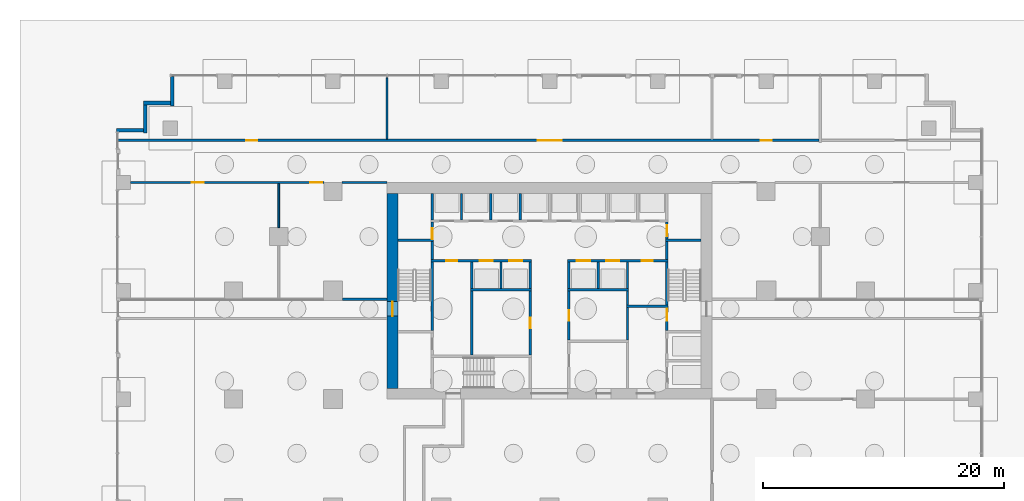
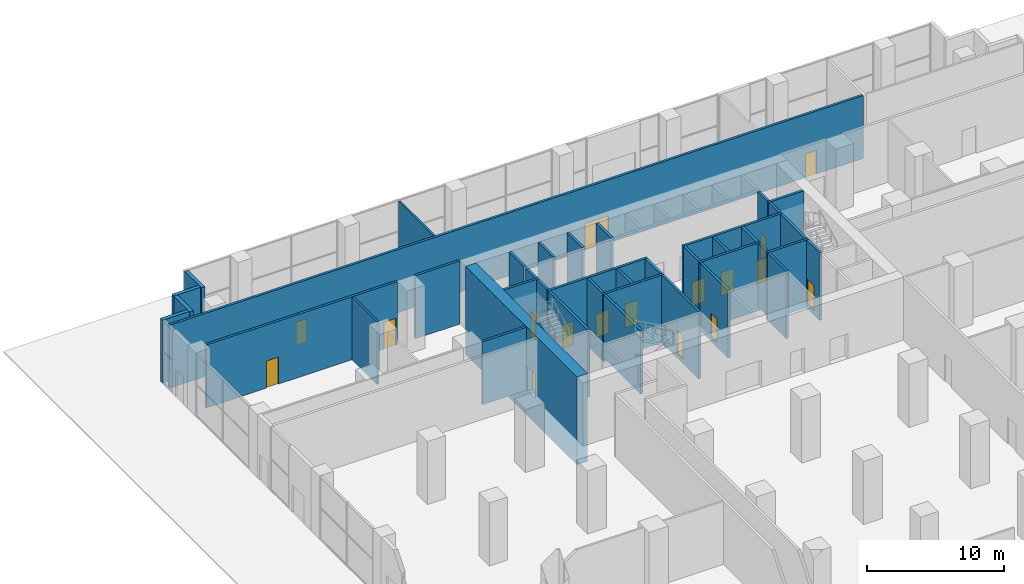
# One storey, part 16 of 20: 40 walls, 17 doors, 17 openings.
"""IFC4 building model written with IfcOpenShell, lengths in metres."""

import ifcopenshell
import ifcopenshell.guid

model = None  # the IFC model being written
_history = None  # IfcOwnerHistory: only IFC2X3 demands one
_inside = {}  # id of a spatial element -> (the spatial element, [elements in it])
_under = {}  # id of a project, library or spatial element -> (it, [spatial elements below it])
_declared = {}  # id of a project -> (the project, [libraries it declares])
_typed = {}  # id of a type object -> (the type object, [elements of that type])
_made_of = {}  # id of a material, layer set ... -> (it, [elements and type objects made of it])


def new_model(schema):
    """Start an empty IFC model of exactly this schema.

    Asked for "IFC4X3", IfcOpenShell would pick the latest addendum, in which some entities
    have other attributes; the version numbers below select the first issue.
    IFC2X3 requires an IfcOwnerHistory on every rooted entity: one is made here for all.
    """
    global model, _history
    if schema == "IFC4X3":
        model = ifcopenshell.file(schema_version=(4, 3, 0, 0))
    else:
        model = ifcopenshell.file(schema=schema)
    _inside.clear()
    _under.clear()
    _declared.clear()
    _typed.clear()
    _made_of.clear()
    _history = None
    if model.schema == "IFC2X3":
        org = make("IfcOrganization", Name="unknown")
        user = make(
            "IfcPersonAndOrganization",
            ThePerson=make("IfcPerson", FamilyName="unknown"),
            TheOrganization=org,
        )
        app = make(
            "IfcApplication",
            ApplicationDeveloper=org,
            Version="unknown",
            ApplicationFullName="unknown",
            ApplicationIdentifier="unknown",
        )
        _history = make(
            "IfcOwnerHistory",
            OwningUser=user,
            OwningApplication=app,
            ChangeAction="ADDED",
            CreationDate=0,
        )
    return model


def make(cls, **values):
    """One entity of the class cls with the attributes given. An attribute that is None is left unset."""
    return model.create_entity(
        cls, **{name: value for name, value in values.items() if value is not None}
    )


def rooted(cls, **values):
    """An entity with a GlobalId (a new one), such as an element, a storey or a relation."""
    return make(cls, GlobalId=ifcopenshell.guid.new(), OwnerHistory=_history, **values)


def si_unit(unit_type, name, prefix=None):
    """IfcSIUnit, for example si_unit("LENGTHUNIT", "METRE", prefix="MILLI")."""
    return make("IfcSIUnit", UnitType=unit_type, Prefix=prefix, Name=name)


def assignment(units):
    """IfcUnitAssignment: the units of a project."""
    return None if units is None else make("IfcUnitAssignment", Units=units)


def point(xyz):
    """IfcCartesianPoint."""
    return None if xyz is None else make("IfcCartesianPoint", Coordinates=xyz)


def direction(xyz):
    """IfcDirection."""
    return None if xyz is None else make("IfcDirection", DirectionRatios=xyz)


def frame(location, z_axis=None, x_axis=None):
    """IfcAxis2Placement3D, a coordinate frame: its origin and axes. An axis left out is left unset."""
    return make(
        "IfcAxis2Placement3D",
        Location=point(location),
        Axis=direction(z_axis),
        RefDirection=direction(x_axis),
    )


def frame_2d(location, x_axis=None):
    """IfcAxis2Placement2D, a coordinate frame in the plane: its origin and x axis."""
    return make(
        "IfcAxis2Placement2D", Location=point(location), RefDirection=direction(x_axis)
    )


def origin():
    """The frame at (0, 0, 0) with its axes left unset."""
    return frame((0.0, 0.0, 0.0))


def place(relative_to, where):
    """IfcLocalPlacement: puts the frame where relative to a parent placement (None: the world)."""
    return make(
        "IfcLocalPlacement", PlacementRelTo=relative_to, RelativePlacement=where
    )


def context(
    kind, dimensions, precision=None, world=None, true_north=None, identifier=None
):
    """IfcGeometricRepresentationContext, for example the 3D "Model" context."""
    return make(
        "IfcGeometricRepresentationContext",
        ContextIdentifier=identifier,
        ContextType=kind,
        CoordinateSpaceDimension=dimensions,
        Precision=precision,
        WorldCoordinateSystem=world,
        TrueNorth=true_north,
    )


def subcontext(parent, identifier, kind, view, scale=None):
    """IfcGeometricRepresentationSubContext, for example "Body" below "Model"."""
    return make(
        "IfcGeometricRepresentationSubContext",
        ContextIdentifier=identifier,
        ContextType=kind,
        ParentContext=parent,
        TargetScale=scale,
        TargetView=view,
    )


def project(units=None, contexts=None):
    """IfcProject with its units and contexts."""
    return rooted(
        "IfcProject",
        Name="project",
        RepresentationContexts=contexts,
        UnitsInContext=assignment(units),
    )


def spatial(cls, under=None, at=None, **own):
    """A site, building, storey or space (cls), placed at a placement, below another one or the project."""
    s = rooted(cls, ObjectPlacement=at, **own)
    if under is not None:
        _under.setdefault(under.id(), (under, []))[1].append(s)
    return s


def profile(cls, at=None, kind="AREA", **sizes):
    """A parametric profile (cls). Its sizes go by their IFC names, for example OverallWidth=200.0."""
    return make(cls, ProfileType=kind, Position=at, **sizes)


def rectangle(**sizes):
    """IfcRectangleProfileDef."""
    return profile("IfcRectangleProfileDef", **sizes)


def extrude(swept, where, along, depth):
    """IfcExtrudedAreaSolid: the profile swept, set in the frame where, extruded along a direction by depth."""
    return make(
        "IfcExtrudedAreaSolid",
        SweptArea=swept,
        Position=where,
        ExtrudedDirection=direction(along),
        Depth=depth,
    )


def shape(context_of_items, identifier, shape_type, items):
    """IfcShapeRepresentation: the items that make up one representation, for example the "Body"."""
    return make(
        "IfcShapeRepresentation",
        ContextOfItems=context_of_items,
        RepresentationIdentifier=identifier,
        RepresentationType=shape_type,
        Items=items,
    )


def material(Name=None, Category=None):
    """IfcMaterial."""
    return make("IfcMaterial", Name=Name, Category=Category)


def layer(
    of_material, thickness, ventilated=None, Name=None, Category=None, Priority=None
):
    """IfcMaterialLayer: one layer of a wall or slab, of a material (None: an air gap)."""
    return make(
        "IfcMaterialLayer",
        Material=of_material,
        LayerThickness=thickness,
        IsVentilated=ventilated,
        Name=Name,
        Category=Category,
        Priority=Priority,
    )


def layer_set(layers, Name=None):
    """IfcMaterialLayerSet."""
    return make("IfcMaterialLayerSet", MaterialLayers=layers, LayerSetName=Name)


def made_of(thing, what):
    """Note that an element or type object is made of a material, layer set ...; save() writes the relation."""
    if what is not None:
        _made_of.setdefault(what.id(), (what, []))[1].append(thing)
    return thing


def type_object(cls, material=None, **own):
    """A type object (cls), such as IfcWallType, which elements share."""
    return made_of(rooted(cls, **own), material)


def element(
    cls,
    number,
    at=None,
    inside=None,
    cuts=None,
    type_object=None,
    material=None,
    context=None,
    identifier="Body",
    shape_type=None,
    held_by="IfcProductDefinitionShape",
    body=None,
    shapes=None,
    **own,
):
    """One element of the class cls, such as IfcWall. Its Tag is "e" and its number.

    at: its placement. inside: the storey or other place that contains it. cuts: it is an
    opening in that element (IfcRelVoidsElement). A single representation is given by context,
    identifier, shape_type and body (its items); several are given by shapes. held_by: the class
    of the entity that holds the representations. save() writes the other relations.
    """
    e = rooted(cls, Tag="e%d" % number, ObjectPlacement=at, **own)
    if body is not None:
        shapes = [shape(context, identifier, shape_type, body)]
    if shapes is not None:
        e.Representation = make(held_by, Representations=shapes)
    if inside is not None:
        _inside.setdefault(inside.id(), (inside, []))[1].append(e)
    if cuts is not None:
        rooted(
            "IfcRelVoidsElement", RelatingBuildingElement=cuts, RelatedOpeningElement=e
        )
    if type_object is not None:
        _typed.setdefault(type_object.id(), (type_object, []))[1].append(e)
    return made_of(e, material)


def fill(opening, filler):
    """IfcRelFillsElement: the door or window that sits in an opening."""
    return rooted(
        "IfcRelFillsElement",
        RelatingOpeningElement=opening,
        RelatedBuildingElement=filler,
    )


def aggregate(whole, parts):
    """IfcRelAggregates: a whole, such as a stair, and the parts it consists of."""
    return rooted("IfcRelAggregates", RelatingObject=whole, RelatedObjects=parts)


def save(model, path):
    """Write the relations noted so far, then the file.

    IfcRelAggregates (storeys below a building ...), IfcRelContainedInSpatialStructure (elements
    in a storey), IfcRelDefinesByType, IfcRelAssociatesMaterial and IfcRelDeclares: one each for
    every whole, place, type object, material and project.
    """
    for whole, parts in _under.values():
        aggregate(whole, parts)
    for where, things in _inside.values():
        rooted(
            "IfcRelContainedInSpatialStructure",
            RelatedElements=things,
            RelatingStructure=where,
        )
    for kind, things in _typed.values():
        rooted("IfcRelDefinesByType", RelatedObjects=things, RelatingType=kind)
    for what, things in _made_of.values():
        rooted("IfcRelAssociatesMaterial", RelatedObjects=things, RelatingMaterial=what)
    for by, libraries in _declared.values():
        rooted("IfcRelDeclares", RelatingContext=by, RelatedDefinitions=libraries)
    model.write(path)


model = new_model("IFC4")

# Units and contexts
model_context = context("Model", 3, precision=1e-05, world=origin(), true_north=direction((0.0, 1.0)))
body_context = subcontext(model_context, "Body", "Model", "MODEL_VIEW")
ifc_project = project(units=[si_unit("LENGTHUNIT", "METRE"), si_unit("AREAUNIT", "SQUARE_METRE"), si_unit("VOLUMEUNIT", "CUBIC_METRE"), si_unit("PLANEANGLEUNIT", "RADIAN"), si_unit("MASSUNIT", "GRAM", prefix="KILO")], contexts=[model_context])

# Site, building, storey
site_placement = place(None, origin())
site = spatial("IfcSite", under=ifc_project, at=site_placement, CompositionType="ELEMENT")
building_placement = place(site_placement, origin())
building = spatial("IfcBuilding", under=site, at=building_placement, Name="Orbiselva Terraces", CompositionType="ELEMENT")
storey_placement = place(building_placement, origin())
storey = spatial("IfcBuildingStorey", under=building, at=storey_placement, Name="L00", CompositionType="ELEMENT", Elevation=0.0)

# Wall, opening, door
ifc_material_1 = material(Name="Concrete C80/95", Category="concrete")
ifc_layer_1 = layer(ifc_material_1, 0.9)
ifc_layer_set_1 = layer_set([ifc_layer_1], Name="Concrete C80/95")
wall_type_1 = type_object("IfcWallType", Name="CORE WALL 900", PredefinedType="SHEAR", material=ifc_layer_set_1)
wall_1_placement = place(storey_placement, frame((-13.05, 21.6, -2.2), z_axis=(0.0, 0.0, 1.0), x_axis=(0.0, -1.0, 0.0)))
wall_1 = element("IfcWall", 1, at=wall_1_placement, inside=storey, type_object=wall_type_1, Name="Core wall L00 west", PredefinedType="SHEAR", context=body_context, shape_type="SweptSolid", body=[
    extrude(rectangle(XDim=16.2, YDim=0.9, at=frame_2d((8.1, 0.0))), origin(), (0.0, 0.0, 1.0), 7.8),
])
opening_1_placement = place(wall_1_placement, frame((9.0, 0.0, 2.2)))
opening_1 = element("IfcOpeningElement", 2, at=opening_1_placement, cuts=wall_1, Name="Opening DS1200", PredefinedType="OPENING", context=body_context, shape_type="SweptSolid", body=[
    extrude(rectangle(XDim=1.2, YDim=2.2, at=frame_2d((0.6, 1.1))), frame((0.0, 0.46, 0.0), z_axis=(0.0, -1.0, 0.0), x_axis=(1.0, 0.0, 0.0)), (0.0, 0.0, 1.0), 0.92),
])
ifc_material_2 = material(Name="Steel fire door", Category="steel")
door_type_1 = type_object("IfcDoorType", Name="STAIR DOOR 1200", OperationType="NOTDEFINED", PredefinedType="DOOR", material=ifc_material_2)
door_1_placement = place(opening_1_placement, frame((1.2, 0.0, 0.0), z_axis=(0.0, 0.0, 1.0), x_axis=(-1.0, 0.0, 0.0)))
door_1 = element("IfcDoor", 3, at=door_1_placement, inside=storey, type_object=door_type_1, Name="L00 EXIT STAIR S1 door", OperationType="SINGLE_SWING_RIGHT", OverallHeight=2.2, OverallWidth=1.2, PredefinedType="DOOR", context=body_context, shape_type="SweptSolid", body=[
    extrude(rectangle(XDim=1.2, YDim=2.2, at=frame_2d((0.6, 1.1))), frame((0.0, 0.025, 0.0), z_axis=(0.0, -1.0, 0.0), x_axis=(1.0, 0.0, 0.0)), (0.0, 0.0, 1.0), 0.05),
])
fill(opening_1, door_1)

ifc_material_3 = material(Name="Masonry blockwork", Category="masonry")
ifc_layer_2 = layer(ifc_material_3, 0.2)
ifc_layer_set_2 = layer_set([ifc_layer_2], Name="Masonry blockwork")
wall_type_2 = type_object("IfcWallType", Name="CORE-WALL-PARTITION-200", PredefinedType="PARTITIONING", material=ifc_layer_set_2)
wall_2_placement = place(storey_placement, frame((-9.75, 17.8, 0.0), z_axis=(0.0, 0.0, 1.0), x_axis=(0.0, 1.0, 0.0)))
wall_2 = element("IfcWall", 4, at=wall_2_placement, inside=storey, type_object=wall_type_2, Name="L00 core wall 09", PredefinedType="PARTITIONING", context=body_context, shape_type="SweptSolid", body=[
    extrude(rectangle(XDim=1.4, YDim=0.2, at=frame_2d((0.7, 0.0))), origin(), (0.0, 0.0, 1.0), 5.6),
])
opening_2_placement = place(wall_2_placement, origin())
opening_2 = element("IfcOpeningElement", 5, at=opening_2_placement, cuts=wall_2, Name="Opening DR900", PredefinedType="OPENING", context=body_context, shape_type="SweptSolid", body=[
    extrude(rectangle(XDim=0.9, YDim=2.1, at=frame_2d((0.45, 1.05))), frame((0.0, 0.11, 0.0), z_axis=(0.0, -1.0, 0.0), x_axis=(1.0, 0.0, 0.0)), (0.0, 0.0, 1.0), 0.22),
])
door_type_2 = type_object("IfcDoorType", Name="ROOM DOOR 900", OperationType="NOTDEFINED", PredefinedType="DOOR", material=ifc_material_2)
door_2_placement = place(opening_2_placement, origin())
door_2 = element("IfcDoor", 6, at=door_2_placement, inside=storey, type_object=door_type_2, Name="L00 ELECTRICAL RISER ROOM door", OperationType="SINGLE_SWING_LEFT", OverallHeight=2.1, OverallWidth=0.9, PredefinedType="DOOR", context=body_context, shape_type="SweptSolid", body=[
    extrude(rectangle(XDim=0.9, YDim=2.1, at=frame_2d((0.45, 1.05))), frame((0.0, 0.025, 0.0), z_axis=(0.0, -1.0, 0.0), x_axis=(1.0, 0.0, 0.0)), (0.0, 0.0, 1.0), 0.05),
])
fill(opening_2, door_2)

# Walls
wall_3_placement = place(storey_placement, frame((-6.475, 8.15, 0.0), z_axis=(0.0, 0.0, 1.0), x_axis=(0.0, 1.0, 0.0)))
element("IfcWall", 7, at=wall_3_placement, inside=storey, type_object=wall_type_2, Name="L00 core wall 13", PredefinedType="PARTITIONING", context=body_context, shape_type="SweptSolid", body=[
    extrude(rectangle(XDim=5.35, YDim=0.2, at=frame_2d((2.675, 0.0))), origin(), (0.0, 0.0, 1.0), 5.6),
])
wall_4_placement = place(storey_placement, frame((6.475, 12.3, 0.0), z_axis=(0.0, 0.0, 1.0), x_axis=(0.0, 1.0, 0.0)))
element("IfcWall", 8, at=wall_4_placement, inside=storey, type_object=wall_type_2, Name="L00 core wall 35", PredefinedType="PARTITIONING", context=body_context, shape_type="SweptSolid", body=[
    extrude(rectangle(XDim=1.2, YDim=0.2, at=frame_2d((0.6, 0.0))), origin(), (0.0, 0.0, 1.0), 5.6),
])

# Wall, opening, door
wall_5_placement = place(storey_placement, frame((9.75, 19.2, 0.0), z_axis=(0.0, 0.0, 1.0), x_axis=(0.0, -1.0, 0.0)))
wall_5 = element("IfcWall", 9, at=wall_5_placement, inside=storey, type_object=wall_type_2, Name="L00 core wall 46", PredefinedType="PARTITIONING", context=body_context, shape_type="SweptSolid", body=[
    extrude(rectangle(XDim=1.4, YDim=0.2, at=frame_2d((0.7, 0.0))), origin(), (0.0, 0.0, 1.0), 5.6),
])
opening_3_placement = place(wall_5_placement, frame((0.25, 0.0, 0.0)))
opening_3 = element("IfcOpeningElement", 10, at=opening_3_placement, cuts=wall_5, Name="Opening DR900", PredefinedType="OPENING", context=body_context, shape_type="SweptSolid", body=[
    extrude(rectangle(XDim=0.9, YDim=2.1, at=frame_2d((0.45, 1.05))), frame((0.0, 0.11, 0.0), z_axis=(0.0, -1.0, 0.0), x_axis=(1.0, 0.0, 0.0)), (0.0, 0.0, 1.0), 0.22),
])
door_3_placement = place(opening_3_placement, origin())
door_3 = element("IfcDoor", 11, at=door_3_placement, inside=storey, type_object=door_type_2, Name="L00 ELECTRICAL RISER ROOM door", OperationType="SINGLE_SWING_RIGHT", OverallHeight=2.1, OverallWidth=0.9, PredefinedType="DOOR", context=body_context, shape_type="SweptSolid", body=[
    extrude(rectangle(XDim=0.9, YDim=2.1, at=frame_2d((0.45, 1.05))), frame((0.0, 0.025, 0.0), z_axis=(0.0, -1.0, 0.0), x_axis=(1.0, 0.0, 0.0)), (0.0, 0.0, 1.0), 0.05),
])
fill(opening_3, door_3)

# Walls
ifc_layer_3 = layer(ifc_material_3, 0.2)
ifc_layer_set_3 = layer_set([ifc_layer_3], Name="Masonry blockwork")
wall_type_3 = type_object("IfcWallType", Name="CORE-WALL-PARTITION-200-EI120", PredefinedType="PARTITIONING", material=ifc_layer_set_3)
wall_6_placement = place(storey_placement, frame((-17.2, 12.8, 0.0), z_axis=(0.0, 0.0, 1.0), x_axis=(1.0, 0.0, 0.0)))
element("IfcWall", 12, at=wall_6_placement, inside=storey, type_object=wall_type_3, Name="EXIT PASSAGE S1 wall 5", PredefinedType="PARTITIONING", context=body_context, shape_type="SweptSolid", body=[
    extrude(rectangle(XDim=3.7, YDim=0.2, at=frame_2d((1.85, 0.0))), origin(), (0.0, 0.0, 1.0), 5.6),
])
ifc_material_4 = material(Name="Concrete C40/50", Category="concrete")
ifc_layer_4 = layer(ifc_material_4, 0.2)
ifc_layer_set_4 = layer_set([ifc_layer_4], Name="Concrete C40/50")
wall_type_4 = type_object("IfcWallType", Name="CORE-WALL-SHAFT-200", PredefinedType="PARTITIONING", material=ifc_layer_set_4)
for number, where, z_axis, x_axis, name in (
    (13, (-9.75, 19.4, -0.4), (0.0, 0.0, 1.0), (0.0, 1.0, 0.0), "L00 core wall 11"),
    (14, (-7.3125, 19.4, -0.4), (0.0, 0.0, 1.0), (0.0, 1.0, 0.0), "L00 core wall 12"),
    (15, (-6.475, 13.7, -0.4), (0.0, 0.0, 1.0), (0.0, 1.0, 0.0), "L00 core wall 15"),
    (16, (-4.875, 19.4, -0.4), (0.0, 0.0, 1.0), (0.0, 1.0, 0.0), "L00 core wall 16"),
    (17, (-4.0375, 13.7, -0.4), (0.0, 0.0, 1.0), (0.0, 1.0, 0.0), "L00 core wall 17"),
    (18, (-2.4375, 19.4, -0.4), (0.0, 0.0, 1.0), (0.0, 1.0, 0.0), "L00 core wall 18"),
    (19, (-1.6, 13.7, -0.4), (0.0, 0.0, 1.0), (0.0, 1.0, 0.0), "L00 core wall 21"),
    (20, (1.6, 13.7, -0.4), (0.0, 0.0, 1.0), (0.0, 1.0, 0.0), "L00 core wall 27"),
    (21, (4.0375, 13.7, -0.4), (0.0, 0.0, 1.0), (0.0, 1.0, 0.0), "L00 core wall 30"),
    (22, (6.475, 13.7, -0.4), (0.0, 0.0, 1.0), (0.0, 1.0, 0.0), "L00 core wall 36"),
):
    element("IfcWall", number, at=place(storey_placement, frame(where, z_axis=z_axis, x_axis=x_axis)), inside=storey, type_object=wall_type_4, Name=name, PredefinedType="PARTITIONING", context=body_context, shape_type="SweptSolid", body=[
        extrude(rectangle(XDim=2.2, YDim=0.2, at=frame_2d((1.1, 0.0))), origin(), (0.0, 0.0, 1.0), 6.0),
    ])
ifc_material_5 = material(Name="Concrete C60/75", Category="concrete")
ifc_layer_5 = layer(ifc_material_5, 0.2)
ifc_layer_set_5 = layer_set([ifc_layer_5], Name="Concrete C60/75")
wall_type_5 = type_object("IfcWallType", Name="CORE-WALL-SHEAR-200", PredefinedType="SHEAR", material=ifc_layer_set_5)
wall_7_placement = place(storey_placement, frame((-12.6, 17.7, -0.4), z_axis=(0.0, 0.0, 1.0), x_axis=(1.0, 0.0, 0.0)))
element("IfcWall", 23, at=wall_7_placement, inside=storey, type_object=wall_type_5, Name="L00 core wall 02", PredefinedType="SHEAR", context=body_context, shape_type="SweptSolid", body=[
    extrude(rectangle(XDim=2.95, YDim=0.2, at=frame_2d((1.475, 0.0))), origin(), (0.0, 0.0, 1.0), 6.0),
])
wall_8_placement = place(storey_placement, frame((-9.75, 10.2, -0.4), z_axis=(0.0, 0.0, 1.0), x_axis=(0.0, 1.0, 0.0)))
element("IfcWall", 24, at=wall_8_placement, inside=storey, type_object=wall_type_5, Name="L00 core wall 06", PredefinedType="SHEAR", context=body_context, shape_type="SweptSolid", body=[
    extrude(rectangle(XDim=5.7, YDim=0.2, at=frame_2d((2.85, 0.0))), origin(), (0.0, 0.0, 1.0), 6.0),
])

# Wall, openings, doors
wall_9_placement = place(storey_placement, frame((-1.5, 16.0, -0.4), z_axis=(0.0, 0.0, 1.0), x_axis=(-1.0, 0.0, 0.0)))
wall_9 = element("IfcWall", 25, at=wall_9_placement, inside=storey, type_object=wall_type_5, Name="L00 core wall 07", PredefinedType="SHEAR", context=body_context, shape_type="SweptSolid", body=[
    extrude(rectangle(XDim=8.35, YDim=0.2, at=frame_2d((4.175, 0.0))), origin(), (0.0, 0.0, 1.0), 6.0),
])
opening_4_placement = place(wall_9_placement, frame((3.20625, 0.0, 0.4)))
opening_4 = element("IfcOpeningElement", 26, at=opening_4_placement, cuts=wall_9, Name="Opening LD-OBS1", PredefinedType="OPENING", context=body_context, shape_type="SweptSolid", body=[
    extrude(rectangle(XDim=1.1, YDim=2.1, at=frame_2d((0.55, 1.05))), frame((0.0, 0.11, 0.0), z_axis=(0.0, -1.0, 0.0), x_axis=(1.0, 0.0, 0.0)), (0.0, 0.0, 1.0), 0.22),
])
opening_5_placement = place(wall_9_placement, frame((0.76875, 0.0, 0.4)))
opening_5 = element("IfcOpeningElement", 27, at=opening_5_placement, cuts=wall_9, Name="Opening LD-OBS2", PredefinedType="OPENING", context=body_context, shape_type="SweptSolid", body=[
    extrude(rectangle(XDim=1.1, YDim=2.1, at=frame_2d((0.55, 1.05))), frame((0.0, 0.11, 0.0), z_axis=(0.0, -1.0, 0.0), x_axis=(1.0, 0.0, 0.0)), (0.0, 0.0, 1.0), 0.22),
])
opening_6_placement = place(wall_9_placement, frame((6.1625, 0.0, 0.4)))
opening_6 = element("IfcOpeningElement", 28, at=opening_6_placement, cuts=wall_9, Name="Opening DR900", PredefinedType="OPENING", context=body_context, shape_type="SweptSolid", body=[
    extrude(rectangle(XDim=0.9, YDim=2.1, at=frame_2d((0.45, 1.05))), frame((0.0, 0.11, 0.0), z_axis=(0.0, -1.0, 0.0), x_axis=(1.0, 0.0, 0.0)), (0.0, 0.0, 1.0), 0.22),
])
ifc_material_6 = material(Name="Stainless steel landing door", Category="steel")
door_type_3 = type_object("IfcDoorType", Name="LANDING DOOR 1100", OperationType="SLIDING_TO_LEFT", PredefinedType="DOOR", material=ifc_material_6)
door_4_placement = place(opening_4_placement, origin())
door_4 = element("IfcDoor", 29, at=door_4_placement, inside=storey, type_object=door_type_3, Name="L00 landing door OBS1", OperationType="SLIDING_TO_LEFT", OverallHeight=2.1, OverallWidth=1.1, PredefinedType="DOOR", context=body_context, shape_type="SweptSolid", body=[
    extrude(rectangle(XDim=1.1, YDim=2.1, at=frame_2d((0.55, 1.05))), frame((0.0, 0.025, 0.0), z_axis=(0.0, -1.0, 0.0), x_axis=(1.0, 0.0, 0.0)), (0.0, 0.0, 1.0), 0.05),
])
fill(opening_4, door_4)
door_5_placement = place(opening_5_placement, origin())
door_5 = element("IfcDoor", 30, at=door_5_placement, inside=storey, type_object=door_type_3, Name="L00 landing door OBS2", OperationType="SLIDING_TO_LEFT", OverallHeight=2.1, OverallWidth=1.1, PredefinedType="DOOR", context=body_context, shape_type="SweptSolid", body=[
    extrude(rectangle(XDim=1.1, YDim=2.1, at=frame_2d((0.55, 1.05))), frame((0.0, 0.025, 0.0), z_axis=(0.0, -1.0, 0.0), x_axis=(1.0, 0.0, 0.0)), (0.0, 0.0, 1.0), 0.05),
])
fill(opening_5, door_5)
door_6_placement = place(opening_6_placement, origin())
door_6 = element("IfcDoor", 31, at=door_6_placement, inside=storey, type_object=door_type_2, Name="L00 SECURITY ROOM door", OperationType="SINGLE_SWING_RIGHT", OverallHeight=2.1, OverallWidth=0.9, PredefinedType="DOOR", context=body_context, shape_type="SweptSolid", body=[
    extrude(rectangle(XDim=0.9, YDim=2.1, at=frame_2d((0.45, 1.05))), frame((0.0, 0.025, 0.0), z_axis=(0.0, -1.0, 0.0), x_axis=(1.0, 0.0, 0.0)), (0.0, 0.0, 1.0), 0.05),
])
fill(opening_6, door_6)

# Walls
wall_10_placement = place(storey_placement, frame((-9.75, 16.1, -0.4), z_axis=(0.0, 0.0, 1.0), x_axis=(0.0, 1.0, 0.0)))
element("IfcWall", 32, at=wall_10_placement, inside=storey, type_object=wall_type_5, Name="L00 core wall 08", PredefinedType="SHEAR", context=body_context, shape_type="SweptSolid", body=[
    extrude(rectangle(XDim=1.5, YDim=0.2, at=frame_2d((0.75, 0.0))), origin(), (0.0, 0.0, 1.0), 6.0),
])
wall_11_placement = place(storey_placement, frame((-6.575, 13.6, -0.4), z_axis=(0.0, 0.0, 1.0), x_axis=(1.0, 0.0, 0.0)))
element("IfcWall", 33, at=wall_11_placement, inside=storey, type_object=wall_type_5, Name="L00 core wall 14", PredefinedType="SHEAR", context=body_context, shape_type="SweptSolid", body=[
    extrude(rectangle(XDim=5.075, YDim=0.2, at=frame_2d((2.5375, 0.0))), origin(), (0.0, 0.0, 1.0), 6.0),
])

# Wall, opening, door
wall_12_placement = place(storey_placement, frame((-1.6, 8.15, -0.4), z_axis=(0.0, 0.0, 1.0), x_axis=(0.0, 1.0, 0.0)))
wall_12 = element("IfcWall", 34, at=wall_12_placement, inside=storey, type_object=wall_type_5, Name="L00 core wall 20", PredefinedType="SHEAR", context=body_context, shape_type="SweptSolid", body=[
    extrude(rectangle(XDim=5.35, YDim=0.2, at=frame_2d((2.675, 0.0))), origin(), (0.0, 0.0, 1.0), 6.0),
])
opening_7_placement = place(wall_12_placement, frame((2.225, 0.0, 0.4)))
opening_7 = element("IfcOpeningElement", 35, at=opening_7_placement, cuts=wall_12, Name="Opening DR900", PredefinedType="OPENING", context=body_context, shape_type="SweptSolid", body=[
    extrude(rectangle(XDim=0.9, YDim=2.1, at=frame_2d((0.45, 1.05))), frame((0.0, 0.11, 0.0), z_axis=(0.0, -1.0, 0.0), x_axis=(1.0, 0.0, 0.0)), (0.0, 0.0, 1.0), 0.22),
])
door_7_placement = place(opening_7_placement, origin())
door_7 = element("IfcDoor", 36, at=door_7_placement, inside=storey, type_object=door_type_2, Name="L00 FIRE COMMAND CENTRE door", OperationType="SINGLE_SWING_RIGHT", OverallHeight=2.1, OverallWidth=0.9, PredefinedType="DOOR", context=body_context, shape_type="SweptSolid", body=[
    extrude(rectangle(XDim=0.9, YDim=2.1, at=frame_2d((0.45, 1.05))), frame((0.0, 0.025, 0.0), z_axis=(0.0, -1.0, 0.0), x_axis=(1.0, 0.0, 0.0)), (0.0, 0.0, 1.0), 0.05),
])
fill(opening_7, door_7)

wall_13_placement = place(storey_placement, frame((1.6, 13.5, -0.4), z_axis=(0.0, 0.0, 1.0), x_axis=(0.0, -1.0, 0.0)))
wall_13 = element("IfcWall", 37, at=wall_13_placement, inside=storey, type_object=wall_type_5, Name="L00 core wall 25", PredefinedType="SHEAR", context=body_context, shape_type="SweptSolid", body=[
    extrude(rectangle(XDim=4.1, YDim=0.2, at=frame_2d((2.05, 0.0))), origin(), (0.0, 0.0, 1.0), 6.0),
])
opening_8_placement = place(wall_13_placement, frame((1.6, 0.0, 0.4)))
opening_8 = element("IfcOpeningElement", 38, at=opening_8_placement, cuts=wall_13, Name="Opening DR900", PredefinedType="OPENING", context=body_context, shape_type="SweptSolid", body=[
    extrude(rectangle(XDim=0.9, YDim=2.1, at=frame_2d((0.45, 1.05))), frame((0.0, 0.11, 0.0), z_axis=(0.0, -1.0, 0.0), x_axis=(1.0, 0.0, 0.0)), (0.0, 0.0, 1.0), 0.22),
])
door_8_placement = place(opening_8_placement, origin())
door_8 = element("IfcDoor", 39, at=door_8_placement, inside=storey, type_object=door_type_2, Name="L00 COMMS ROOM door", OperationType="SINGLE_SWING_RIGHT", OverallHeight=2.1, OverallWidth=0.9, PredefinedType="DOOR", context=body_context, shape_type="SweptSolid", body=[
    extrude(rectangle(XDim=0.9, YDim=2.1, at=frame_2d((0.45, 1.05))), frame((0.0, 0.025, 0.0), z_axis=(0.0, -1.0, 0.0), x_axis=(1.0, 0.0, 0.0)), (0.0, 0.0, 1.0), 0.05),
])
fill(opening_8, door_8)

# Wall
wall_14_placement = place(storey_placement, frame((1.5, 13.6, -0.4), z_axis=(0.0, 0.0, 1.0), x_axis=(1.0, 0.0, 0.0)))
element("IfcWall", 40, at=wall_14_placement, inside=storey, type_object=wall_type_5, Name="L00 core wall 26", PredefinedType="SHEAR", context=body_context, shape_type="SweptSolid", body=[
    extrude(rectangle(XDim=5.075, YDim=0.2, at=frame_2d((2.5375, 0.0))), origin(), (0.0, 0.0, 1.0), 6.0),
])

# Wall, openings, doors
wall_15_placement = place(storey_placement, frame((9.85, 16.0, -0.4), z_axis=(0.0, 0.0, 1.0), x_axis=(-1.0, 0.0, 0.0)))
wall_15 = element("IfcWall", 41, at=wall_15_placement, inside=storey, type_object=wall_type_5, Name="L00 core wall 28", PredefinedType="SHEAR", context=body_context, shape_type="SweptSolid", body=[
    extrude(rectangle(XDim=8.35, YDim=0.2, at=frame_2d((4.175, 0.0))), origin(), (0.0, 0.0, 1.0), 6.0),
])
opening_9_placement = place(wall_15_placement, frame((6.48125, 0.0, 0.4)))
opening_9 = element("IfcOpeningElement", 42, at=opening_9_placement, cuts=wall_15, Name="Opening LD-HR5", PredefinedType="OPENING", context=body_context, shape_type="SweptSolid", body=[
    extrude(rectangle(XDim=1.1, YDim=2.1, at=frame_2d((0.55, 1.05))), frame((0.0, 0.11, 0.0), z_axis=(0.0, -1.0, 0.0), x_axis=(1.0, 0.0, 0.0)), (0.0, 0.0, 1.0), 0.22),
])
opening_10_placement = place(wall_15_placement, frame((4.04375, 0.0, 0.4)))
opening_10 = element("IfcOpeningElement", 43, at=opening_10_placement, cuts=wall_15, Name="Opening LD-HR6", PredefinedType="OPENING", context=body_context, shape_type="SweptSolid", body=[
    extrude(rectangle(XDim=1.1, YDim=2.1, at=frame_2d((0.55, 1.05))), frame((0.0, 0.11, 0.0), z_axis=(0.0, -1.0, 0.0), x_axis=(1.0, 0.0, 0.0)), (0.0, 0.0, 1.0), 0.22),
])
opening_11_placement = place(wall_15_placement, frame((1.2875, 0.0, 0.4)))
opening_11 = element("IfcOpeningElement", 44, at=opening_11_placement, cuts=wall_15, Name="Opening DR900", PredefinedType="OPENING", context=body_context, shape_type="SweptSolid", body=[
    extrude(rectangle(XDim=0.9, YDim=2.1, at=frame_2d((0.45, 1.05))), frame((0.0, 0.11, 0.0), z_axis=(0.0, -1.0, 0.0), x_axis=(1.0, 0.0, 0.0)), (0.0, 0.0, 1.0), 0.22),
])
door_9_placement = place(opening_9_placement, origin())
door_9 = element("IfcDoor", 45, at=door_9_placement, inside=storey, type_object=door_type_3, Name="L00 landing door HR5", OperationType="SLIDING_TO_RIGHT", OverallHeight=2.1, OverallWidth=1.1, PredefinedType="DOOR", context=body_context, shape_type="SweptSolid", body=[
    extrude(rectangle(XDim=1.1, YDim=2.1, at=frame_2d((0.55, 1.05))), frame((0.0, 0.025, 0.0), z_axis=(0.0, -1.0, 0.0), x_axis=(1.0, 0.0, 0.0)), (0.0, 0.0, 1.0), 0.05),
])
fill(opening_9, door_9)
door_10_placement = place(opening_10_placement, origin())
door_10 = element("IfcDoor", 46, at=door_10_placement, inside=storey, type_object=door_type_3, Name="L00 landing door HR6", OperationType="SLIDING_TO_RIGHT", OverallHeight=2.1, OverallWidth=1.1, PredefinedType="DOOR", context=body_context, shape_type="SweptSolid", body=[
    extrude(rectangle(XDim=1.1, YDim=2.1, at=frame_2d((0.55, 1.05))), frame((0.0, 0.025, 0.0), z_axis=(0.0, -1.0, 0.0), x_axis=(1.0, 0.0, 0.0)), (0.0, 0.0, 1.0), 0.05),
])
fill(opening_10, door_10)
door_11_placement = place(opening_11_placement, origin())
door_11 = element("IfcDoor", 47, at=door_11_placement, inside=storey, type_object=door_type_2, Name="L00 PIPE RISER ROOM door", OperationType="SINGLE_SWING_LEFT", OverallHeight=2.1, OverallWidth=0.9, PredefinedType="DOOR", context=body_context, shape_type="SweptSolid", body=[
    extrude(rectangle(XDim=0.9, YDim=2.1, at=frame_2d((0.45, 1.05))), frame((0.0, 0.025, 0.0), z_axis=(0.0, -1.0, 0.0), x_axis=(1.0, 0.0, 0.0)), (0.0, 0.0, 1.0), 0.05),
])
fill(opening_11, door_11)

# Walls
wall_16_placement = place(storey_placement, frame((6.475, 9.4, -0.4), z_axis=(0.0, 0.0, 1.0), x_axis=(0.0, 1.0, 0.0)))
element("IfcWall", 48, at=wall_16_placement, inside=storey, type_object=wall_type_5, Name="L00 core wall 33", PredefinedType="SHEAR", context=body_context, shape_type="SweptSolid", body=[
    extrude(rectangle(XDim=2.7, YDim=0.2, at=frame_2d((1.35, 0.0))), origin(), (0.0, 0.0, 1.0), 6.0),
])
wall_17_placement = place(storey_placement, frame((6.375, 12.2, -0.4), z_axis=(0.0, 0.0, 1.0), x_axis=(1.0, 0.0, 0.0)))
element("IfcWall", 49, at=wall_17_placement, inside=storey, type_object=wall_type_5, Name="L00 core wall 34", PredefinedType="SHEAR", context=body_context, shape_type="SweptSolid", body=[
    extrude(rectangle(XDim=3.475, YDim=0.2, at=frame_2d((1.7375, 0.0))), origin(), (0.0, 0.0, 1.0), 6.0),
])

# Wall, opening, door
wall_18_placement = place(storey_placement, frame((9.75, 12.1, -0.4), z_axis=(0.0, 0.0, 1.0), x_axis=(0.0, -1.0, 0.0)))
wall_18 = element("IfcWall", 50, at=wall_18_placement, inside=storey, type_object=wall_type_5, Name="L00 core wall 42", PredefinedType="SHEAR", context=body_context, shape_type="SweptSolid", body=[
    extrude(rectangle(XDim=1.9, YDim=0.2, at=frame_2d((0.95, 0.0))), origin(), (0.0, 0.0, 1.0), 6.0),
])
opening_12_placement = place(wall_18_placement, frame((0.1, 0.0, 0.4)))
opening_12 = element("IfcOpeningElement", 51, at=opening_12_placement, cuts=wall_18, Name="Opening DS1000", PredefinedType="OPENING", context=body_context, shape_type="SweptSolid", body=[
    extrude(rectangle(XDim=1.0, YDim=2.2, at=frame_2d((0.5, 1.1))), frame((0.0, 0.11, 0.0), z_axis=(0.0, -1.0, 0.0), x_axis=(1.0, 0.0, 0.0)), (0.0, 0.0, 1.0), 0.22),
])
door_type_4 = type_object("IfcDoorType", Name="STAIR DOOR 1000", OperationType="NOTDEFINED", PredefinedType="DOOR", material=ifc_material_2)
door_12_placement = place(opening_12_placement, origin())
door_12 = element("IfcDoor", 52, at=door_12_placement, inside=storey, type_object=door_type_4, Name="L00 FIRE-FIGHTING LOBBY TO EXIT STAIR S2 door", OperationType="SINGLE_SWING_LEFT", OverallHeight=2.2, OverallWidth=1.0, PredefinedType="DOOR", context=body_context, shape_type="SweptSolid", body=[
    extrude(rectangle(XDim=1.0, YDim=2.2, at=frame_2d((0.5, 1.1))), frame((0.0, 0.025, 0.0), z_axis=(0.0, -1.0, 0.0), x_axis=(1.0, 0.0, 0.0)), (0.0, 0.0, 1.0), 0.05),
])
fill(opening_12, door_12)

# Walls
wall_19_placement = place(storey_placement, frame((9.75, 12.3, -0.4), z_axis=(0.0, 0.0, 1.0), x_axis=(0.0, 1.0, 0.0)))
element("IfcWall", 53, at=wall_19_placement, inside=storey, type_object=wall_type_5, Name="L00 core wall 43", PredefinedType="SHEAR", context=body_context, shape_type="SweptSolid", body=[
    extrude(rectangle(XDim=3.6, YDim=0.2, at=frame_2d((1.8, 0.0))), origin(), (0.0, 0.0, 1.0), 6.0),
])
wall_20_placement = place(storey_placement, frame((9.75, 16.1, -0.4), z_axis=(0.0, 0.0, 1.0), x_axis=(0.0, 1.0, 0.0)))
element("IfcWall", 54, at=wall_20_placement, inside=storey, type_object=wall_type_5, Name="L00 core wall 44", PredefinedType="SHEAR", context=body_context, shape_type="SweptSolid", body=[
    extrude(rectangle(XDim=1.5, YDim=0.2, at=frame_2d((0.75, 0.0))), origin(), (0.0, 0.0, 1.0), 6.0),
])
wall_21_placement = place(storey_placement, frame((9.65, 17.7, -0.4), z_axis=(0.0, 0.0, 1.0), x_axis=(1.0, 0.0, 0.0)))
element("IfcWall", 55, at=wall_21_placement, inside=storey, type_object=wall_type_5, Name="L00 core wall 45", PredefinedType="SHEAR", context=body_context, shape_type="SweptSolid", body=[
    extrude(rectangle(XDim=2.95, YDim=0.2, at=frame_2d((1.475, 0.0))), origin(), (0.0, 0.0, 1.0), 6.0),
])
ifc_material_7 = material(Name="Terracotta cladding on masonry backing", Category="masonry")
ifc_layer_6 = layer(ifc_material_7, 0.3)
ifc_layer_set_6 = layer_set([ifc_layer_6], Name="Terracotta cladding on masonry backing")
wall_type_6 = type_object("IfcWallType", Name="ENV-WALL-TERRACOTTA-300", PredefinedType="SOLIDWALL", material=ifc_layer_set_6)
wall_22_placement = place(storey_placement, frame((-31.35, 28.85, 0.0), z_axis=(0.0, 0.0, 1.0), x_axis=(0.0, 1.0, 0.0)))
element("IfcWall", 56, at=wall_22_placement, inside=storey, type_object=wall_type_6, Name="Facade wall L00 STEP", PredefinedType="SOLIDWALL", context=body_context, shape_type="SweptSolid", body=[
    extrude(rectangle(XDim=2.45, YDim=0.3, at=frame_2d((1.225, 0.0))), origin(), (0.0, 0.0, 1.0), 5.6),
])
wall_23_placement = place(storey_placement, frame((-33.75, 29.1, 0.0), z_axis=(0.0, 0.0, 1.0), x_axis=(1.0, 0.0, 0.0)))
element("IfcWall", 57, at=wall_23_placement, inside=storey, type_object=wall_type_6, Name="Facade wall L00 STEP", PredefinedType="SOLIDWALL", context=body_context, shape_type="SweptSolid", body=[
    extrude(rectangle(XDim=2.25, YDim=0.3, at=frame_2d((1.125, 0.0))), origin(), (0.0, 0.0, 1.0), 5.6),
])
wall_24_placement = place(storey_placement, frame((-33.6, 26.6, 0.0), z_axis=(0.0, 0.0, 1.0), x_axis=(0.0, 1.0, 0.0)))
element("IfcWall", 58, at=wall_24_placement, inside=storey, type_object=wall_type_6, Name="Facade wall L00 STEP", PredefinedType="SOLIDWALL", context=body_context, shape_type="SweptSolid", body=[
    extrude(rectangle(XDim=2.35, YDim=0.3, at=frame_2d((1.175, 0.0))), origin(), (0.0, 0.0, 1.0), 5.6),
])
wall_25_placement = place(storey_placement, frame((-36.0, 26.85, 0.0), z_axis=(0.0, 0.0, 1.0), x_axis=(1.0, 0.0, 0.0)))
element("IfcWall", 59, at=wall_25_placement, inside=storey, type_object=wall_type_6, Name="Facade wall L00 STEP", PredefinedType="SOLIDWALL", context=body_context, shape_type="SweptSolid", body=[
    extrude(rectangle(XDim=2.25, YDim=0.3, at=frame_2d((1.125, 0.0))), origin(), (0.0, 0.0, 1.0), 5.6),
])

# Wall, openings, doors
ifc_material_8 = material(Name="Plasterboard on steel stud partition", Category="steel")
ifc_layer_7 = layer(ifc_material_8, 0.2)
ifc_layer_set_7 = layer_set([ifc_layer_7], Name="Plasterboard on steel stud partition")
wall_type_7 = type_object("IfcWallType", Name="UNIT-ENTRANCE-WALL-200", PredefinedType="PARTITIONING", material=ifc_layer_set_7)
wall_26_placement = place(storey_placement, frame((-18.75, 22.5, 0.0), z_axis=(0.0, 0.0, 1.0), x_axis=(-1.0, 0.0, 0.0)))
wall_26 = element("IfcWall", 60, at=wall_26_placement, inside=storey, type_object=wall_type_7, Name="PARTITION L00-013", PredefinedType="PARTITIONING", context=body_context, shape_type="SweptSolid", body=[
    extrude(rectangle(XDim=16.05, YDim=0.2, at=frame_2d((8.025, 0.0))), origin(), (0.0, 0.0, 1.0), 5.6),
])
opening_13_placement = place(wall_26_placement, frame((10.0, 0.0, 0.0)))
opening_13 = element("IfcOpeningElement", 61, at=opening_13_placement, cuts=wall_26, Name="Opening PODIUM-GROUND-11", PredefinedType="OPENING", context=body_context, shape_type="SweptSolid", body=[
    extrude(rectangle(XDim=1.0, YDim=2.4, at=frame_2d((0.5, 1.2))), frame((0.0, 0.11, 0.0), z_axis=(0.0, -1.0, 0.0), x_axis=(1.0, 0.0, 0.0)), (0.0, 0.0, 1.0), 0.22),
])
opening_14_placement = place(wall_26_placement, frame((0.15, 0.0, 0.0)))
opening_14 = element("IfcOpeningElement", 62, at=opening_14_placement, cuts=wall_26, Name="Opening PODIUM-GROUND-12", PredefinedType="OPENING", context=body_context, shape_type="SweptSolid", body=[
    extrude(rectangle(XDim=1.0, YDim=2.4, at=frame_2d((0.5, 1.2))), frame((0.0, 0.11, 0.0), z_axis=(0.0, -1.0, 0.0), x_axis=(1.0, 0.0, 0.0)), (0.0, 0.0, 1.0), 0.22),
])
ifc_material_9 = material(Name="Painted timber door leaf", Category="wood")
door_type_5 = type_object("IfcDoorType", Name="ROOM DOOR 1000", OperationType="NOTDEFINED", PredefinedType="DOOR", material=ifc_material_9)
door_13_placement = place(opening_13_placement, origin())
door_13 = element("IfcDoor", 63, at=door_13_placement, inside=storey, type_object=door_type_5, Name="PODIUM-GROUND-11", OperationType="SINGLE_SWING_RIGHT", OverallHeight=2.4, OverallWidth=1.0, PredefinedType="DOOR", context=body_context, shape_type="SweptSolid", body=[
    extrude(rectangle(XDim=1.0, YDim=2.4, at=frame_2d((0.5, 1.2))), frame((0.0, 0.025, 0.0), z_axis=(0.0, -1.0, 0.0), x_axis=(1.0, 0.0, 0.0)), (0.0, 0.0, 1.0), 0.05),
])
fill(opening_13, door_13)
door_14_placement = place(opening_14_placement, origin())
door_14 = element("IfcDoor", 64, at=door_14_placement, inside=storey, type_object=door_type_5, Name="PODIUM-GROUND-12", OperationType="SINGLE_SWING_LEFT", OverallHeight=2.4, OverallWidth=1.0, PredefinedType="DOOR", context=body_context, shape_type="SweptSolid", body=[
    extrude(rectangle(XDim=1.0, YDim=2.4, at=frame_2d((0.5, 1.2))), frame((0.0, 0.025, 0.0), z_axis=(0.0, -1.0, 0.0), x_axis=(1.0, 0.0, 0.0)), (0.0, 0.0, 1.0), 0.05),
])
fill(opening_14, door_14)

# Wall
wall_27_placement = place(storey_placement, frame((-17.25, 22.5, 0.0), z_axis=(0.0, 0.0, 1.0), x_axis=(1.0, 0.0, 0.0)))
element("IfcWall", 65, at=wall_27_placement, inside=storey, type_object=wall_type_7, Name="PARTITION L00-014", PredefinedType="PARTITIONING", context=body_context, shape_type="SweptSolid", body=[
    extrude(rectangle(XDim=3.75, YDim=0.2, at=frame_2d((1.875, 0.0))), origin(), (0.0, 0.0, 1.0), 5.6),
])

# Wall, openings, doors
wall_28_placement = place(storey_placement, frame((22.4, 26.0, 0.0), z_axis=(0.0, 0.0, 1.0), x_axis=(-1.0, 0.0, 0.0)))
wall_28 = element("IfcWall", 66, at=wall_28_placement, inside=storey, type_object=wall_type_7, Name="PARTITION L00-017", PredefinedType="PARTITIONING", context=body_context, shape_type="SweptSolid", body=[
    extrude(rectangle(XDim=58.28, YDim=0.2, at=frame_2d((29.14, 0.0))), origin(), (0.0, 0.0, 1.0), 5.6),
])
opening_15_placement = place(wall_28_placement, frame((21.4, 0.0, 0.0)))
opening_15 = element("IfcOpeningElement", 67, at=opening_15_placement, cuts=wall_28, Name="Opening PODIUM-GROUND-07", PredefinedType="OPENING", context=body_context, shape_type="SweptSolid", body=[
    extrude(rectangle(XDim=2.0, YDim=2.4, at=frame_2d((1.0, 1.2))), frame((0.0, 0.11, 0.0), z_axis=(0.0, -1.0, 0.0), x_axis=(1.0, 0.0, 0.0)), (0.0, 0.0, 1.0), 0.22),
])
opening_16_placement = place(wall_28_placement, frame((3.95, 0.0, 0.0)))
opening_16 = element("IfcOpeningElement", 68, at=opening_16_placement, cuts=wall_28, Name="Opening PODIUM-GROUND-08", PredefinedType="OPENING", context=body_context, shape_type="SweptSolid", body=[
    extrude(rectangle(XDim=0.9, YDim=2.1, at=frame_2d((0.45, 1.05))), frame((0.0, 0.11, 0.0), z_axis=(0.0, -1.0, 0.0), x_axis=(1.0, 0.0, 0.0)), (0.0, 0.0, 1.0), 0.22),
])
opening_17_placement = place(wall_28_placement, frame((46.7, 0.0, 0.0)))
opening_17 = element("IfcOpeningElement", 69, at=opening_17_placement, cuts=wall_28, Name="Opening PODIUM-GROUND-09", PredefinedType="OPENING", context=body_context, shape_type="SweptSolid", body=[
    extrude(rectangle(XDim=0.9, YDim=2.1, at=frame_2d((0.45, 1.05))), frame((0.0, 0.11, 0.0), z_axis=(0.0, -1.0, 0.0), x_axis=(1.0, 0.0, 0.0)), (0.0, 0.0, 1.0), 0.22),
])
door_type_6 = type_object("IfcDoorType", Name="AMENITY DOUBLE DOOR 2000", OperationType="NOTDEFINED", PredefinedType="DOOR", material=ifc_material_9)
door_15_placement = place(opening_15_placement, origin())
door_15 = element("IfcDoor", 70, at=door_15_placement, inside=storey, type_object=door_type_6, Name="PODIUM-GROUND-07", OperationType="DOUBLE_DOOR_SINGLE_SWING", OverallHeight=2.4, OverallWidth=2.0, PredefinedType="DOOR", context=body_context, shape_type="SweptSolid", body=[
    extrude(rectangle(XDim=2.0, YDim=2.4, at=frame_2d((1.0, 1.2))), frame((0.0, 0.025, 0.0), z_axis=(0.0, -1.0, 0.0), x_axis=(1.0, 0.0, 0.0)), (0.0, 0.0, 1.0), 0.05),
])
fill(opening_15, door_15)
door_type_7 = type_object("IfcDoorType", Name="SERVICE DOOR 900", OperationType="NOTDEFINED", PredefinedType="DOOR", material=ifc_material_9)
door_16_placement = place(opening_16_placement, origin())
door_16 = element("IfcDoor", 71, at=door_16_placement, inside=storey, type_object=door_type_7, Name="PODIUM-GROUND-08", OperationType="SINGLE_SWING_LEFT", OverallHeight=2.1, OverallWidth=0.9, PredefinedType="DOOR", context=body_context, shape_type="SweptSolid", body=[
    extrude(rectangle(XDim=0.9, YDim=2.1, at=frame_2d((0.45, 1.05))), frame((0.0, 0.025, 0.0), z_axis=(0.0, -1.0, 0.0), x_axis=(1.0, 0.0, 0.0)), (0.0, 0.0, 1.0), 0.05),
])
fill(opening_16, door_16)
door_17_placement = place(opening_17_placement, origin())
door_17 = element("IfcDoor", 72, at=door_17_placement, inside=storey, type_object=door_type_7, Name="PODIUM-GROUND-09", OperationType="SINGLE_SWING_RIGHT", OverallHeight=2.1, OverallWidth=0.9, PredefinedType="DOOR", context=body_context, shape_type="SweptSolid", body=[
    extrude(rectangle(XDim=0.9, YDim=2.1, at=frame_2d((0.45, 1.05))), frame((0.0, 0.025, 0.0), z_axis=(0.0, -1.0, 0.0), x_axis=(1.0, 0.0, 0.0)), (0.0, 0.0, 1.0), 0.05),
])
fill(opening_17, door_17)

# Walls
ifc_layer_8 = layer(ifc_material_8, 0.15)
ifc_layer_set_8 = layer_set([ifc_layer_8], Name="Plasterboard on steel stud partition")
wall_type_8 = type_object("IfcWallType", Name="UNIT-PARTITION-150", PredefinedType="PARTITIONING", material=ifc_layer_set_8)
wall_29_placement = place(storey_placement, frame((-22.5, 18.75, 0.0), z_axis=(0.0, 0.0, 1.0), x_axis=(0.0, 1.0, 0.0)))
element("IfcWall", 73, at=wall_29_placement, inside=storey, type_object=wall_type_8, Name="PARTITION L00-020", PredefinedType="PARTITIONING", context=body_context, shape_type="SweptSolid", body=[
    extrude(rectangle(XDim=3.65, YDim=0.15, at=frame_2d((1.825, 0.0))), origin(), (0.0, 0.0, 1.0), 5.6),
])
wall_30_placement = place(storey_placement, frame((-13.5, 26.1, 0.0), z_axis=(0.0, 0.0, 1.0), x_axis=(0.0, 1.0, 0.0)))
element("IfcWall", 74, at=wall_30_placement, inside=storey, type_object=wall_type_8, Name="PARTITION L00-021", PredefinedType="PARTITIONING", context=body_context, shape_type="SweptSolid", body=[
    extrude(rectangle(XDim=5.1, YDim=0.15, at=frame_2d((2.55, 0.0))), origin(), (0.0, 0.0, 1.0), 5.6),
])

save(model, "model.ifc")
